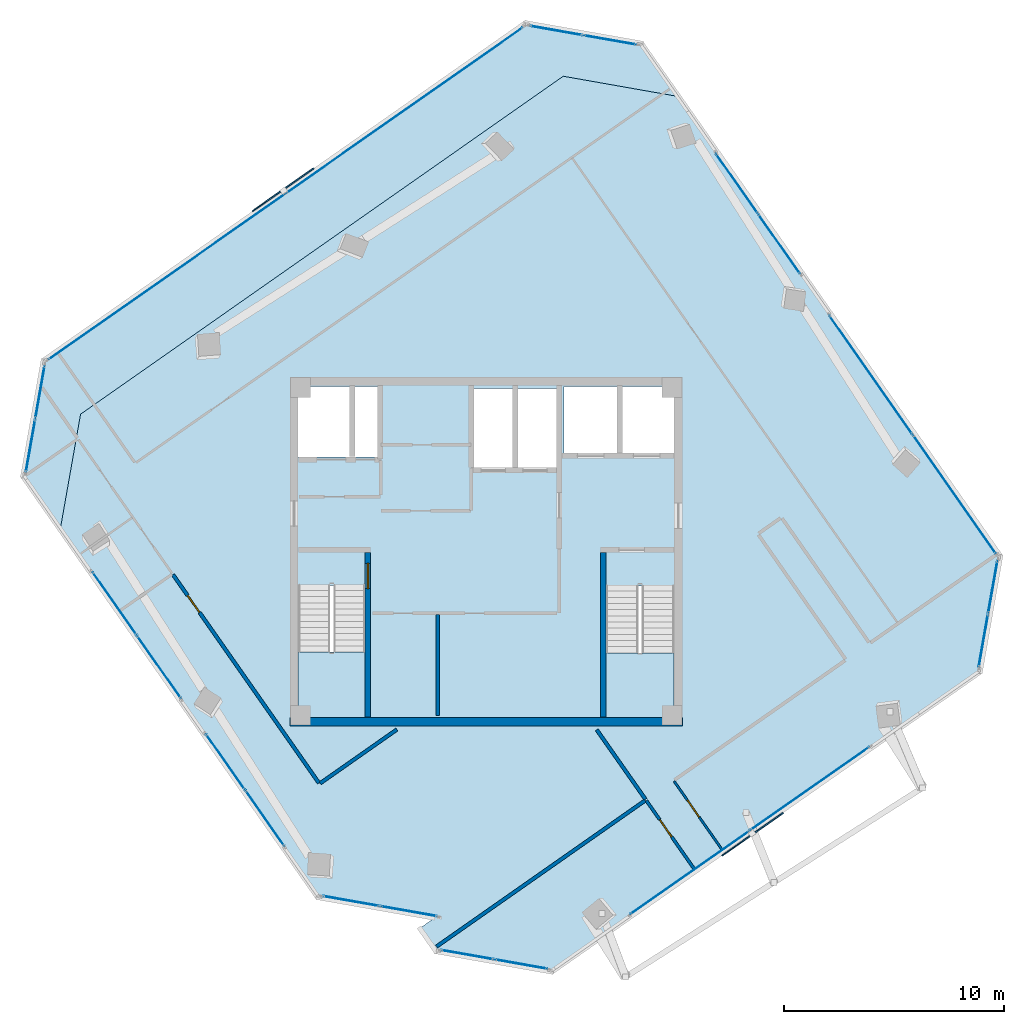
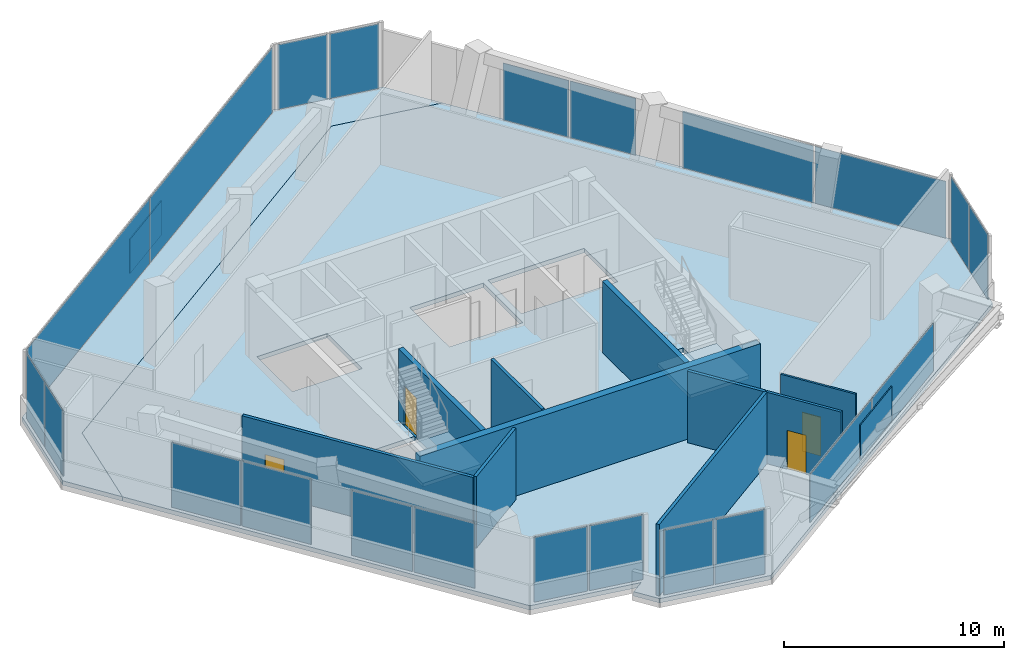
# One storey, part 10 of 15: 24 plates, 10 walls, 4 doors, 4 slabs, 4 openings, 13 elements without a shape of their own.
"""IFC4 building model written with IfcOpenShell, lengths in metres."""

from ifc_helpers import new_model, si_unit, direction, frame, frame_2d, origin, origin_2d, place, context, subcontext, project, spatial, polyline, rectangle, outline, extrude, source, transform, mapped, material, layer, layer_set, type_object, element, fill, aggregate, save


model = new_model("IFC4")

# Units and contexts
model_context = context("Model", 3, precision=1e-05, world=origin(), true_north=direction((0.0, 1.0)))
body_context = subcontext(model_context, "Body", "Model", "MODEL_VIEW")
ifc_project = project(units=[si_unit("LENGTHUNIT", "METRE"), si_unit("AREAUNIT", "SQUARE_METRE"), si_unit("VOLUMEUNIT", "CUBIC_METRE"), si_unit("PLANEANGLEUNIT", "RADIAN"), si_unit("MASSUNIT", "GRAM", prefix="KILO")], contexts=[model_context])

# Site, building, storey
site_placement = place(None, origin())
site = spatial("IfcSite", under=ifc_project, at=site_placement, CompositionType="ELEMENT")
building_placement = place(site_placement, origin())
building = spatial("IfcBuilding", under=site, at=building_placement, Name="Torre Montelarca", CompositionType="ELEMENT")
storey_placement = place(building_placement, frame((0.0, 0.0, 303.0)))
storey = spatial("IfcBuildingStorey", under=building, at=storey_placement, Name="L68", CompositionType="ELEMENT", Elevation=303.0)

# Slabs
ifc_material_1 = material(Name="Concrete C40/50", Category="concrete")
ifc_layer_1 = layer(ifc_material_1, 0.239990234375, Name="Concrete C40/50", Category="concrete")
ifc_layer_set_1 = layer_set([ifc_layer_1], Name="Concrete C40/50")
slab_type_1 = type_object("IfcSlabType", Name="SL-FLR-240", PredefinedType="FLOOR", material=ifc_layer_set_1)
slab_1_placement = place(storey_placement, frame((0.0, 0.0, -0.239990234375)))
element("IfcSlab", 1, at=slab_1_placement, inside=storey, type_object=slab_type_1, Name="L68 Structural Floor Slab", PredefinedType="FLOOR", context=body_context, shape_type="SweptSolid", body=[
    extrude(outline(polyline([(10.319580078125, 16.236328125), (15.612060546875, 15.30322265625), (14.956787109375, 14.844482421875), (15.702392578125, 13.779541015625), (20.99462890625, 12.84619140625), (40.490478515625, 26.497314453125), (41.423583984375, 31.789794921875), (26.797607421875, 52.67822265625), (21.505126953125, 53.611328125), (-0.447998046875, 38.239501953125), (-1.38134765625, 32.947021484375), (10.319580078125, 16.236328125)]), holes=[polyline([(26.550048828125, 24.449951171875), (23.43994140625, 24.449951171875), (23.43994140625, 30.429931640625), (26.550048828125, 30.429931640625), (26.550048828125, 24.449951171875)]), polyline([(12.5, 24.449951171875), (9.449951171875, 24.449951171875), (9.449951171875, 30.4599609375), (12.5, 30.4599609375), (12.5, 24.449951171875)]), polyline([(21.25, 39.39990234375), (21.25, 35.800048828125), (17.39990234375, 35.800048828125), (17.39990234375, 39.39990234375), (21.25, 39.39990234375)]), polyline([(13.1201171875, 36.300048828125), (9.449951171875, 36.300048828125), (9.449951171875, 39.5), (13.1201171875, 39.5), (13.1201171875, 36.300048828125)]), polyline([(26.60009765625, 36.449951171875), (21.550048828125, 36.449951171875), (21.550048828125, 39.5), (26.60009765625, 39.5), (26.60009765625, 36.449951171875)])]), origin(), (0.0, 0.0, 1.0), 0.239990234375),
])
slab_2_placement = place(storey_placement, frame((0.0, 0.0, -0.239990234375)))
element("IfcSlab", 2, at=slab_2_placement, inside=storey, type_object=slab_type_1, Name="L68 Sliding Tray Winter Garden Floor Slab W1", PredefinedType="FLOOR", context=body_context, shape_type="SweptSolid", body=[
    extrude(outline(polyline([(-1.38134765625, 32.947021484375), (-0.447998046875, 38.239501953125), (21.505126953125, 53.611328125), (26.797607421875, 52.67822265625), (25.076904296875, 55.135498046875), (19.784423828125, 56.06884765625), (-2.168701171875, 40.697021484375), (-3.10205078125, 35.404541015625), (-1.38134765625, 32.947021484375)])), origin(), (0.0, 0.0, 1.0), 0.239990234375),
])

# Stair, slab
stair_type_1 = type_object("IfcStairType", Name="ST-CORE-ST1", PredefinedType="HALF_TURN_STAIR", material=ifc_material_1)
stair_1_placement = place(storey_placement, origin())
stair_1 = element("IfcStair", 3, at=stair_1_placement, inside=storey, type_object=stair_type_1, Name="L68 Protected Exit Stair ST1", PredefinedType="HALF_TURN_STAIR")
ifc_layer_2 = layer(ifc_material_1, 0.199951171875, Name="Concrete C40/50", Category="concrete")
ifc_layer_set_2 = layer_set([ifc_layer_2], Name="Concrete C40/50")
slab_type_2 = type_object("IfcSlabType", Name="SL-ST-LAND-ST1", PredefinedType="LANDING", material=ifc_layer_set_2)
slab_3_placement = place(storey_placement, frame((0.0, 0.0, 1.89990234375)))
slab_3 = element("IfcSlab", 4, at=slab_3_placement, type_object=slab_type_2, Name="ST1 landing 1", PredefinedType="LANDING", context=body_context, shape_type="SweptSolid", body=[
    extrude(outline(polyline([(9.449951171875, 27.419921875), (9.449951171875, 24.449951171875), (12.5, 24.449951171875), (12.5, 27.419921875), (9.449951171875, 27.419921875)])), origin(), (0.0, 0.0, 1.0), 0.2001953125),
])
aggregate(stair_1, [slab_3])

stair_type_2 = type_object("IfcStairType", Name="ST-CORE-ST2", PredefinedType="HALF_TURN_STAIR", material=ifc_material_1)
stair_2_placement = place(storey_placement, origin())
stair_2 = element("IfcStair", 5, at=stair_2_placement, inside=storey, type_object=stair_type_2, Name="L68 Protected Exit Stair ST2", PredefinedType="HALF_TURN_STAIR")
ifc_layer_3 = layer(ifc_material_1, 0.199951171875, Name="Concrete C40/50", Category="concrete")
ifc_layer_set_3 = layer_set([ifc_layer_3], Name="Concrete C40/50")
slab_type_3 = type_object("IfcSlabType", Name="SL-ST-LAND-ST2", PredefinedType="LANDING", material=ifc_layer_set_3)
slab_4_placement = place(storey_placement, frame((0.0, 0.0, 1.89990234375)))
slab_4 = element("IfcSlab", 6, at=slab_4_placement, type_object=slab_type_3, Name="ST2 landing 1", PredefinedType="LANDING", context=body_context, shape_type="SweptSolid", body=[
    extrude(outline(polyline([(23.43994140625, 27.389892578125), (23.43994140625, 24.449951171875), (26.550048828125, 24.449951171875), (26.550048828125, 27.389892578125), (23.43994140625, 27.389892578125)])), origin(), (0.0, 0.0, 1.0), 0.2001953125),
])
aggregate(stair_2, [slab_4])

# Plates
ifc_material_2 = material(Name="Architectural perforated terracotta ceramic", Category="masonry")
ifc_layer_4 = layer(ifc_material_2, 0.06005859375, Name="Architectural perforated terracotta ceramic", Category="masonry")
ifc_layer_set_4 = layer_set([ifc_layer_4], Name="Architectural perforated terracotta ceramic")
plate_type_1 = type_object("IfcPlateType", Name="SCR-CER-60", PredefinedType="USERDEFINED", material=ifc_layer_set_4)
shared_shape_1 = source(origin(), body_context, "Body", "SweptSolid", [
    extrude(rectangle(XDim=3.39990234375, YDim=0.06005859375, at=origin_2d()), origin(), (0.0, 0.0, 1.0), 1.89990234375),
])
for number, where, z_axis, x_axis, name in (
    (7, (30.11669921875, 19.135986328125, 0.5), (0.0, 0.0, 1.0), (0.819154046443, 0.573573576968, 0.0), "L68 Perforated Ceramic Brise-Soleil Screen E6-1"),
    (8, (8.761962890625, 48.448486328125, 0.5), (0.0, 0.0, 1.0), (-0.819151043208, -0.57357786604, 0.0), "L68 Perforated Ceramic Brise-Soleil Screen E10-1"),
):
    element("IfcPlate", number, at=place(storey_placement, frame(where, z_axis=z_axis, x_axis=x_axis)), inside=storey, type_object=plate_type_1, Name=name, ObjectType="SOLAR SCREEN", PredefinedType="USERDEFINED", context=body_context, shape_type="MappedRepresentation", body=[
        mapped(shared_shape_1, transform((0.0, 0.0, 0.0), scale=1.0)),
    ])

# Curtain wall, plates
ifc_material_3 = material(Name="Insulated low-E laminated glass", Category="glass")
curtain_wall_type = type_object("IfcCurtainWallType", Name="CW-SYS-Z4", PredefinedType="USERDEFINED", material=ifc_material_3)
curtain_wall_1_placement = place(storey_placement, origin())
curtain_wall_1 = element("IfcCurtainWall", 9, at=curtain_wall_1_placement, inside=storey, type_object=curtain_wall_type, Name="L68 Curtain Wall Run CW-T3-L68-E01-B1", ObjectType="UNITISED GLAZING", PredefinedType="USERDEFINED")
ifc_layer_5 = layer(ifc_material_3, 0.035888671875, Name="Insulated low-E laminated glass", Category="glass")
ifc_layer_set_5 = layer_set([ifc_layer_5], Name="Insulated low-E laminated glass")
plate_type_2 = type_object("IfcPlateType", Name="CWP-GLZ-36", PredefinedType="CURTAIN_PANEL", material=ifc_layer_set_5)
shared_shape_2 = source(origin(), body_context, "Body", "SweptSolid", [
    extrude(rectangle(XDim=3.45751953125, YDim=0.035888671875, at=origin_2d()), origin(), (0.0, 0.0, 1.0), 3.590087890625),
])
plate_1_placement = place(storey_placement, frame((1.09619140625, 29.635498046875, 0.06494140625), z_axis=(0.0, 0.0, 1.0), x_axis=(0.573569496058, -0.819156903891, 0.0)))
plate_1 = element("IfcPlate", 10, at=plate_1_placement, type_object=plate_type_2, Name="CW panel 1.1", PredefinedType="CURTAIN_PANEL", context=body_context, shape_type="MappedRepresentation", body=[
    mapped(shared_shape_2, transform((0.0, 0.0, 0.0), scale=1.0)),
])
plate_2_placement = place(storey_placement, frame((3.122314453125, 26.741943359375, 0.06494140625), z_axis=(0.0, 0.0, 1.0), x_axis=(0.573569496058, -0.819156903891, 0.0)))
plate_2 = element("IfcPlate", 11, at=plate_2_placement, type_object=plate_type_2, Name="CW panel 2.1", PredefinedType="CURTAIN_PANEL", context=body_context, shape_type="MappedRepresentation", body=[
    mapped(shared_shape_2, transform((0.0, 0.0, 0.0), scale=1.0)),
])
aggregate(curtain_wall_1, [plate_1, plate_2])

curtain_wall_2_placement = place(storey_placement, origin())
curtain_wall_2 = element("IfcCurtainWall", 12, at=curtain_wall_2_placement, inside=storey, type_object=curtain_wall_type, Name="L68 Curtain Wall Run CW-T3-L68-E02-B1", ObjectType="UNITISED GLAZING", PredefinedType="USERDEFINED")
shared_shape_3 = source(origin(), body_context, "Body", "SweptSolid", [
    extrude(rectangle(XDim=2.592529296875, YDim=0.035888671875, at=origin_2d()), origin(), (0.0, 0.0, 1.0), 3.590087890625),
])
plate_3_placement = place(storey_placement, frame((11.85595703125, 16.097412109375, 0.06494140625), z_axis=(0.0, 0.0, 1.0), x_axis=(0.9848088558, -0.17364192333, 0.0)))
plate_3 = element("IfcPlate", 13, at=plate_3_placement, type_object=plate_type_2, Name="CW panel 1.1", PredefinedType="CURTAIN_PANEL", context=body_context, shape_type="MappedRepresentation", body=[
    mapped(shared_shape_3, transform((0.0, 0.0, 0.0), scale=1.0)),
])
plate_4_placement = place(storey_placement, frame((14.48291015625, 15.63427734375, 0.06494140625), z_axis=(0.0, 0.0, 1.0), x_axis=(0.9848088558, -0.17364192333, 0.0)))
plate_4 = element("IfcPlate", 14, at=plate_4_placement, type_object=plate_type_2, Name="CW panel 2.1", PredefinedType="CURTAIN_PANEL", context=body_context, shape_type="MappedRepresentation", body=[
    mapped(shared_shape_3, transform((0.0, 0.0, 0.0), scale=1.0)),
])
aggregate(curtain_wall_2, [plate_3, plate_4])

curtain_wall_3_placement = place(storey_placement, origin())
curtain_wall_3 = element("IfcCurtainWall", 15, at=curtain_wall_3_placement, inside=storey, type_object=curtain_wall_type, Name="L68 Curtain Wall Run CW-T3-L68-E05-B1", ObjectType="UNITISED GLAZING", PredefinedType="USERDEFINED")
shared_shape_4 = source(origin(), body_context, "Body", "SweptSolid", [
    extrude(rectangle(XDim=2.40869140625, YDim=0.035888671875, at=origin_2d()), origin(), (0.0, 0.0, 1.0), 3.590087890625),
])
plate_5_placement = place(storey_placement, frame((17.148193359375, 13.656494140625, 0.06494140625), z_axis=(0.0, 0.0, 1.0), x_axis=(0.984810101776, -0.173634856638, 0.0)))
plate_5 = element("IfcPlate", 16, at=plate_5_placement, type_object=plate_type_2, Name="CW panel 1.1", PredefinedType="CURTAIN_PANEL", context=body_context, shape_type="MappedRepresentation", body=[
    mapped(shared_shape_4, transform((0.0, 0.0, 0.0), scale=1.0)),
])
plate_6_placement = place(storey_placement, frame((19.593994140625, 13.225341796875, 0.06494140625), z_axis=(0.0, 0.0, 1.0), x_axis=(0.984810101776, -0.173634856638, 0.0)))
plate_6 = element("IfcPlate", 17, at=plate_6_placement, type_object=plate_type_2, Name="CW panel 2.1", PredefinedType="CURTAIN_PANEL", context=body_context, shape_type="MappedRepresentation", body=[
    mapped(shared_shape_4, transform((0.0, 0.0, 0.0), scale=1.0)),
])
aggregate(curtain_wall_3, [plate_5, plate_6])

curtain_wall_4_placement = place(storey_placement, origin())
curtain_wall_4 = element("IfcCurtainWall", 18, at=curtain_wall_4_placement, inside=storey, type_object=curtain_wall_type, Name="L68 Curtain Wall Run CW-T3-L68-E07-B1", ObjectType="UNITISED GLAZING", PredefinedType="USERDEFINED")
plate_7_placement = place(storey_placement, frame((40.613525390625, 27.943115234375, 0.06494140625), z_axis=(0.0, 0.0, 1.0), x_axis=(0.173612230899, 0.984814090721, 0.0)))
plate_7 = element("IfcPlate", 19, at=plate_7_placement, type_object=plate_type_2, Name="CW panel 1.1", PredefinedType="CURTAIN_PANEL", context=body_context, shape_type="MappedRepresentation", body=[
    mapped(shared_shape_4, transform((0.0, 0.0, 0.0), scale=1.0)),
])
plate_8_placement = place(storey_placement, frame((41.044677734375, 30.38916015625, 0.06494140625), z_axis=(0.0, 0.0, 1.0), x_axis=(0.173612230899, 0.984814090721, 0.0)))
plate_8 = element("IfcPlate", 20, at=plate_8_placement, type_object=plate_type_2, Name="CW panel 2.1", PredefinedType="CURTAIN_PANEL", context=body_context, shape_type="MappedRepresentation", body=[
    mapped(shared_shape_4, transform((0.0, 0.0, 0.0), scale=1.0)),
])
aggregate(curtain_wall_4, [plate_7, plate_8])

curtain_wall_5_placement = place(storey_placement, origin())
curtain_wall_5 = element("IfcCurtainWall", 21, at=curtain_wall_5_placement, inside=storey, type_object=curtain_wall_type, Name="L68 Curtain Wall Run CW-T3-L68-E09-B1", ObjectType="UNITISED GLAZING", PredefinedType="USERDEFINED")
plate_9_placement = place(storey_placement, frame((23.631103515625, 55.258544921875, 0.06494140625), z_axis=(0.0, 0.0, 1.0), x_axis=(-0.984810101776, 0.173634856638, 0.0)))
plate_9 = element("IfcPlate", 22, at=plate_9_placement, type_object=plate_type_2, Name="CW panel 1.1", PredefinedType="CURTAIN_PANEL", context=body_context, shape_type="MappedRepresentation", body=[
    mapped(shared_shape_4, transform((0.0, 0.0, 0.0), scale=1.0)),
])
plate_10_placement = place(storey_placement, frame((21.18505859375, 55.689697265625, 0.06494140625), z_axis=(0.0, 0.0, 1.0), x_axis=(-0.984810101776, 0.173634856638, 0.0)))
plate_10 = element("IfcPlate", 23, at=plate_10_placement, type_object=plate_type_2, Name="CW panel 2.1", PredefinedType="CURTAIN_PANEL", context=body_context, shape_type="MappedRepresentation", body=[
    mapped(shared_shape_4, transform((0.0, 0.0, 0.0), scale=1.0)),
])
aggregate(curtain_wall_5, [plate_9, plate_10])

curtain_wall_6_placement = place(storey_placement, origin())
curtain_wall_6 = element("IfcCurtainWall", 24, at=curtain_wall_6_placement, inside=storey, type_object=curtain_wall_type, Name="L68 Curtain Wall Run CW-T3-L68-E11-B1", ObjectType="UNITISED GLAZING", PredefinedType="USERDEFINED")
plate_11_placement = place(storey_placement, frame((-2.291748046875, 39.251220703125, 0.06494140625), z_axis=(0.0, 0.0, 1.0), x_axis=(-0.173634856638, -0.984810101776, 0.0)))
plate_11 = element("IfcPlate", 25, at=plate_11_placement, type_object=plate_type_2, Name="CW panel 1.1", PredefinedType="CURTAIN_PANEL", context=body_context, shape_type="MappedRepresentation", body=[
    mapped(shared_shape_4, transform((0.0, 0.0, 0.0), scale=1.0)),
])
plate_12_placement = place(storey_placement, frame((-2.722900390625, 36.80517578125, 0.06494140625), z_axis=(0.0, 0.0, 1.0), x_axis=(-0.173634856638, -0.984810101776, 0.0)))
plate_12 = element("IfcPlate", 26, at=plate_12_placement, type_object=plate_type_2, Name="CW panel 2.1", PredefinedType="CURTAIN_PANEL", context=body_context, shape_type="MappedRepresentation", body=[
    mapped(shared_shape_4, transform((0.0, 0.0, 0.0), scale=1.0)),
])
aggregate(curtain_wall_6, [plate_11, plate_12])

curtain_wall_7_placement = place(storey_placement, origin())
curtain_wall_7 = element("IfcCurtainWall", 27, at=curtain_wall_7_placement, inside=storey, type_object=curtain_wall_type, Name="L68 Curtain Wall Run CW-T3-L68-E10-B1", ObjectType="UNITISED GLAZING", PredefinedType="USERDEFINED")
shared_shape_5 = source(origin(), body_context, "Body", "SweptSolid", [
    extrude(rectangle(XDim=13.12158203125, YDim=0.035888671875, at=origin_2d()), origin(), (0.0, 0.0, 1.0), 3.590087890625),
])
plate_13_placement = place(storey_placement, frame((14.28759765625, 52.06103515625, 0.06494140625), z_axis=(0.0, 0.0, 1.0), x_axis=(-0.819155413128, -0.57357162512, 0.0)))
plate_13 = element("IfcPlate", 28, at=plate_13_placement, type_object=plate_type_2, Name="CW panel 1.1", PredefinedType="CURTAIN_PANEL", context=body_context, shape_type="MappedRepresentation", body=[
    mapped(shared_shape_5, transform((0.0, 0.0, 0.0), scale=1.0)),
])
plate_14_placement = place(storey_placement, frame((3.477294921875, 44.49169921875, 0.06494140625), z_axis=(0.0, 0.0, 1.0), x_axis=(-0.819155413128, -0.57357162512, 0.0)))
plate_14 = element("IfcPlate", 29, at=plate_14_placement, type_object=plate_type_2, Name="CW panel 2.1", PredefinedType="CURTAIN_PANEL", context=body_context, shape_type="MappedRepresentation", body=[
    mapped(shared_shape_5, transform((0.0, 0.0, 0.0), scale=1.0)),
])
aggregate(curtain_wall_7, [plate_13, plate_14])

curtain_wall_8_placement = place(storey_placement, origin())
curtain_wall_8 = element("IfcCurtainWall", 30, at=curtain_wall_8_placement, inside=storey, type_object=curtain_wall_type, Name="L68 Curtain Wall Run CW-T3-L68-E01-B2", ObjectType="UNITISED GLAZING", PredefinedType="USERDEFINED")
shared_shape_6 = source(origin(), body_context, "Body", "SweptSolid", [
    extrude(rectangle(XDim=3.0546875, YDim=0.035888671875, at=origin_2d()), origin(), (0.0, 0.0, 1.0), 3.590087890625),
])
plate_15_placement = place(storey_placement, frame((6.14306640625, 22.42822265625, 0.06494140625), z_axis=(0.0, 0.0, 1.0), x_axis=(0.573565112822, -0.819159972992, 0.0)))
plate_15 = element("IfcPlate", 31, at=plate_15_placement, type_object=plate_type_2, Name="CW panel 1.1", PredefinedType="CURTAIN_PANEL", context=body_context, shape_type="MappedRepresentation", body=[
    mapped(shared_shape_6, transform((0.0, 0.0, 0.0), scale=1.0)),
])
plate_16_placement = place(storey_placement, frame((7.93798828125, 19.864501953125, 0.06494140625), z_axis=(0.0, 0.0, 1.0), x_axis=(0.573565112822, -0.819159972992, 0.0)))
plate_16 = element("IfcPlate", 32, at=plate_16_placement, type_object=plate_type_2, Name="CW panel 2.1", PredefinedType="CURTAIN_PANEL", context=body_context, shape_type="MappedRepresentation", body=[
    mapped(shared_shape_6, transform((0.0, 0.0, 0.0), scale=1.0)),
])
aggregate(curtain_wall_8, [plate_15, plate_16])

curtain_wall_9_placement = place(storey_placement, origin())
curtain_wall_9 = element("IfcCurtainWall", 33, at=curtain_wall_9_placement, inside=storey, type_object=curtain_wall_type, Name="L68 Curtain Wall Run CW-T3-L68-E06-B1", ObjectType="UNITISED GLAZING", PredefinedType="USERDEFINED")
shared_shape_7 = source(origin(), body_context, "Body", "SweptSolid", [
    extrude(rectangle(XDim=6.58740234375, YDim=0.035888671875, at=origin_2d()), origin(), (0.0, 0.0, 1.0), 2.64501953125),
])
plate_17_placement = place(storey_placement, frame((27.267578125, 17.397216796875, 0.06494140625), z_axis=(0.0, 0.0, 1.0), x_axis=(0.819155482733, 0.573571525713, 0.0)))
plate_17 = element("IfcPlate", 34, at=plate_17_placement, type_object=plate_type_2, Name="CW panel 1.1", PredefinedType="CURTAIN_PANEL", context=body_context, shape_type="MappedRepresentation", body=[
    mapped(shared_shape_7, transform((0.0, 0.0, 0.0), scale=1.0)),
])
plate_18_placement = place(storey_placement, frame((32.72509765625, 21.21875, 0.06494140625), z_axis=(0.0, 0.0, 1.0), x_axis=(0.819155482733, 0.573571525713, 0.0)))
plate_18 = element("IfcPlate", 35, at=plate_18_placement, type_object=plate_type_2, Name="CW panel 2.1", PredefinedType="CURTAIN_PANEL", context=body_context, shape_type="MappedRepresentation", body=[
    mapped(shared_shape_7, transform((0.0, 0.0, 0.0), scale=1.0)),
])
aggregate(curtain_wall_9, [plate_17, plate_18])

curtain_wall_10_placement = place(storey_placement, origin())
curtain_wall_10 = element("IfcCurtainWall", 36, at=curtain_wall_10_placement, inside=storey, type_object=curtain_wall_type, Name="L68 Curtain Wall Run CW-T3-L68-E08-B1", ObjectType="UNITISED GLAZING", PredefinedType="USERDEFINED")
shared_shape_8 = source(origin(), body_context, "Body", "SweptSolid", [
    extrude(rectangle(XDim=6.5576171875, YDim=0.035888671875, at=origin_2d()), origin(), (0.0, 0.0, 1.0), 3.14501953125),
])
plate_19_placement = place(storey_placement, frame((39.29833984375, 34.59814453125, 0.06494140625), z_axis=(0.0, 0.0, 1.0), x_axis=(-0.573566985118, 0.819158662032, 0.0)))
plate_19 = element("IfcPlate", 37, at=plate_19_placement, type_object=plate_type_2, Name="CW panel 1.1", PredefinedType="CURTAIN_PANEL", context=body_context, shape_type="MappedRepresentation", body=[
    mapped(shared_shape_8, transform((0.0, 0.0, 0.0), scale=1.0)),
])
plate_20_placement = place(storey_placement, frame((35.494140625, 40.03125, 0.06494140625), z_axis=(0.0, 0.0, 1.0), x_axis=(-0.573566985118, 0.819158662032, 0.0)))
plate_20 = element("IfcPlate", 38, at=plate_20_placement, type_object=plate_type_2, Name="CW panel 2.1", PredefinedType="CURTAIN_PANEL", context=body_context, shape_type="MappedRepresentation", body=[
    mapped(shared_shape_8, transform((0.0, 0.0, 0.0), scale=1.0)),
])
aggregate(curtain_wall_10, [plate_19, plate_20])

curtain_wall_11_placement = place(storey_placement, origin())
curtain_wall_11 = element("IfcCurtainWall", 39, at=curtain_wall_11_placement, inside=storey, type_object=curtain_wall_type, Name="L68 Curtain Wall Run CW-T3-L68-E08-B2", ObjectType="UNITISED GLAZING", PredefinedType="USERDEFINED")
shared_shape_9 = source(origin(), body_context, "Body", "SweptSolid", [
    extrude(rectangle(XDim=3.287109375, YDim=0.035888671875, at=origin_2d()), origin(), (0.0, 0.0, 1.0), 3.14501953125),
])
plate_21_placement = place(storey_placement, frame((31.32763671875, 45.98193359375, 0.06494140625), z_axis=(0.0, 0.0, 1.0), x_axis=(-0.573581772786, 0.819148307651, 0.0)))
plate_21 = element("IfcPlate", 40, at=plate_21_placement, type_object=plate_type_2, Name="CW panel 1.1", PredefinedType="CURTAIN_PANEL", context=body_context, shape_type="MappedRepresentation", body=[
    mapped(shared_shape_9, transform((0.0, 0.0, 0.0), scale=1.0)),
])
plate_22_placement = place(storey_placement, frame((29.399169921875, 48.736083984375, 0.06494140625), z_axis=(0.0, 0.0, 1.0), x_axis=(-0.573581772786, 0.819148307651, 0.0)))
plate_22 = element("IfcPlate", 41, at=plate_22_placement, type_object=plate_type_2, Name="CW panel 2.1", PredefinedType="CURTAIN_PANEL", context=body_context, shape_type="MappedRepresentation", body=[
    mapped(shared_shape_9, transform((0.0, 0.0, 0.0), scale=1.0)),
])
aggregate(curtain_wall_11, [plate_21, plate_22])

# Wall, opening, door
ifc_layer_6 = layer(ifc_material_1, 0.25, Name="Concrete C40/50", Category="concrete")
ifc_layer_set_6 = layer_set([ifc_layer_6], Name="Concrete C40/50")
wall_type_1 = type_object("IfcWallType", Name="CW-SHAFT-250", PredefinedType="SHEAR", material=ifc_layer_set_6)
wall_1_placement = place(storey_placement, frame((12.625, 24.4599609375, 0.0), z_axis=(0.0, 0.0, 1.0), x_axis=(0.0, 1.0, 0.0)))
wall_1 = element("IfcWall", 42, at=wall_1_placement, inside=storey, type_object=wall_type_1, Name="L68 Core Shear Wall SH-ST1-E", PredefinedType="SHEAR", context=body_context, shape_type="SweptSolid", body=[
    extrude(rectangle(XDim=7.489990234375, YDim=0.25, at=frame_2d((3.7451171875, 0.0))), origin(), (0.0, 0.0, 1.0), 3.9599609375),
])
opening_1_placement = place(wall_1_placement, frame((5.85009765625, 0.0, 0.0)))
opening_1 = element("IfcOpeningElement", 43, at=opening_1_placement, cuts=wall_1, Name="Opening FD-ST1", PredefinedType="OPENING", context=body_context, shape_type="SweptSolid", body=[
    extrude(rectangle(XDim=1.14990234375, YDim=2.199951171875, at=frame_2d((0.574951171875, 1.10009765625))), frame((0.0, 0.135009765625, 0.0), z_axis=(0.0, -1.0, 0.0), x_axis=(1.0, 0.0, 0.0)), (0.0, 0.0, 1.0), 0.27001953125),
])
ifc_material_4 = material(Name="Galvanized steel fire door", Category="steel")
door_type_1 = type_object("IfcDoorType", Name="DR-STAIR-115", OperationType="NOTDEFINED", PredefinedType="DOOR", material=ifc_material_4)
shared_shape_10 = source(origin(), body_context, "Body", "SweptSolid", [
    extrude(rectangle(XDim=1.14990234375, YDim=2.199951171875, at=frame_2d((0.574951171875, 1.10009765625))), frame((0.0, 0.02490234375, 0.0), z_axis=(0.0, -1.0, 0.0), x_axis=(1.0, 0.0, 0.0)), (0.0, 0.0, 1.0), 0.050048828125),
])
door_1_placement = place(opening_1_placement, origin())
door_1 = element("IfcDoor", 44, at=door_1_placement, inside=storey, type_object=door_type_1, Name="L68 Exit Stair ST1 Fire Door", OperationType="SINGLE_SWING_RIGHT", OverallHeight=2.199951171875, OverallWidth=1.14990234375, PredefinedType="DOOR", context=body_context, shape_type="MappedRepresentation", body=[
    mapped(shared_shape_10, transform((0.0, 0.0, 0.0), scale=1.0)),
])
fill(opening_1, door_1)

# Walls
wall_2_placement = place(storey_placement, frame((23.31494140625, 24.4599609375, 0.0), z_axis=(0.0, 0.0, 1.0), x_axis=(0.0, 1.0, 0.0)))
element("IfcWall", 45, at=wall_2_placement, inside=storey, type_object=wall_type_1, Name="L68 Core Shear Wall SH-ST2-W", PredefinedType="SHEAR", context=body_context, shape_type="SweptSolid", body=[
    extrude(rectangle(XDim=7.489990234375, YDim=0.25, at=frame_2d((3.7451171875, 0.0))), origin(), (0.0, 0.0, 1.0), 3.9599609375),
])
ifc_layer_7 = layer(ifc_material_1, 0.3798828125, Name="Concrete C40/50", Category="concrete")
ifc_layer_set_7 = layer_set([ifc_layer_7], Name="Concrete C40/50")
wall_type_2 = type_object("IfcWallType", Name="CW-SHEAR-380", PredefinedType="SHEAR", material=ifc_layer_set_7)
wall_3_placement = place(storey_placement, frame((9.070068359375, 24.260009765625, 0.0), z_axis=(0.0, 0.0, 1.0), x_axis=(1.0, 0.0, 0.0)))
element("IfcWall", 46, at=wall_3_placement, inside=storey, type_object=wall_type_2, Name="L68 Core Shear Wall CW-S1", PredefinedType="SHEAR", context=body_context, shape_type="SweptSolid", body=[
    extrude(rectangle(XDim=17.85986328125, YDim=0.3798828125, at=frame_2d((8.929931640625, 0.0))), origin(), (0.0, 0.0, 1.0), 3.9599609375),
])
ifc_material_5 = material(Name="Gypsum plasterboard on steel stud", Category="steel")
ifc_layer_8 = layer(ifc_material_5, 0.159912109375, Name="Gypsum plasterboard on steel stud", Category="steel")
ifc_layer_set_8 = layer_set([ifc_layer_8], Name="Gypsum plasterboard on steel stud")
wall_type_3 = type_object("IfcWallType", Name="PW-FIRE-160", PredefinedType="PARTITIONING", material=ifc_layer_set_8)
wall_4_placement = place(storey_placement, frame((15.800048828125, 24.5400390625, 0.0), z_axis=(0.0, 0.0, 1.0), x_axis=(0.0, 1.0, 0.0)))
element("IfcWall", 47, at=wall_4_placement, inside=storey, type_object=wall_type_3, Name="L68 Interior Partition CW-L68-FRD1", PredefinedType="PARTITIONING", context=body_context, shape_type="SweptSolid", body=[
    extrude(rectangle(XDim=4.599853515625, YDim=0.159912109375, at=frame_2d((2.2998046875, 0.0))), origin(), (0.0, 0.0, 1.0), 3.9599609375),
])

# Wall, opening, door
wall_5_placement = place(storey_placement, frame((3.758056640625, 30.9423828125, 0.0), z_axis=(0.0, 0.0, 1.0), x_axis=(0.573575634469, -0.819152605772, 0.0)))
wall_5 = element("IfcWall", 48, at=wall_5_placement, inside=storey, type_object=wall_type_3, Name="L68 Interior Partition W-L68-SOCCN", PredefinedType="PARTITIONING", context=body_context, shape_type="SweptSolid", body=[
    extrude(rectangle(XDim=11.56982421875, YDim=0.159912109375, at=frame_2d((5.784912109375, 0.0))), origin(), (0.0, 0.0, 1.0), 3.9599609375),
])
opening_2_placement = place(wall_5_placement, frame((1.14990234375, 0.0, 0.0)))
opening_2 = element("IfcOpeningElement", 49, at=opening_2_placement, cuts=wall_5, Name="Opening FD-095", PredefinedType="OPENING", context=body_context, shape_type="SweptSolid", body=[
    extrude(rectangle(XDim=0.949951171875, YDim=2.14990234375, at=frame_2d((0.47509765625, 1.074951171875))), frame((0.0, 0.08984375, 0.0), z_axis=(0.0, -1.0, 0.0), x_axis=(1.0, 0.0, 0.0)), (0.0, 0.0, 1.0), 0.179931640625),
])
ifc_material_6 = material(Name="Timber fire-rated room door", Category="wood")
door_type_2 = type_object("IfcDoorType", Name="DR-FIRE-095", OperationType="NOTDEFINED", PredefinedType="DOOR", material=ifc_material_6)
shared_shape_11 = source(origin(), body_context, "Body", "SweptSolid", [
    extrude(rectangle(XDim=0.949951171875, YDim=2.14990234375, at=frame_2d((0.47509765625, 1.074951171875))), frame((0.0, 0.02490234375, 0.0), z_axis=(0.0, -1.0, 0.0), x_axis=(1.0, 0.0, 0.0)), (0.0, 0.0, 1.0), 0.050048828125),
])
door_2_placement = place(opening_2_placement, origin())
door_2 = element("IfcDoor", 50, at=door_2_placement, inside=storey, type_object=door_type_2, Name="L68 Interior Door 08", OperationType="SINGLE_SWING_RIGHT", OverallHeight=2.14990234375, OverallWidth=0.949951171875, PredefinedType="DOOR", context=body_context, shape_type="MappedRepresentation", body=[
    mapped(shared_shape_11, transform((0.0, 0.0, 0.0), scale=1.0)),
])
fill(opening_2, door_2)

# Walls
wall_6_placement = place(storey_placement, frame((10.4501953125, 21.454833984375, 0.0), z_axis=(0.0, 0.0, 1.0), x_axis=(0.819110678768, 0.573635507903, 0.0)))
element("IfcWall", 51, at=wall_6_placement, inside=storey, type_object=wall_type_3, Name="L68 Interior Partition W-L68-SOCCW3", PredefinedType="PARTITIONING", context=body_context, shape_type="SweptSolid", body=[
    extrude(rectangle(XDim=4.2578125, YDim=0.159912109375, at=frame_2d((2.12890625, 0.0))), origin(), (0.0, 0.0, 1.0), 3.9599609375),
])
wall_7_placement = place(storey_placement, frame((23.02978515625, 23.88720703125, 0.0), z_axis=(0.0, 0.0, 1.0), x_axis=(0.573602525203, -0.819133776059, 0.0)))
element("IfcWall", 52, at=wall_7_placement, inside=storey, type_object=wall_type_3, Name="L68 Interior Partition W-L68-SOCCN3", PredefinedType="PARTITIONING", context=body_context, shape_type="SweptSolid", body=[
    extrude(rectangle(XDim=3.85693359375, YDim=0.159912109375, at=frame_2d((1.928466796875, 0.0))), origin(), (0.0, 0.0, 1.0), 3.9599609375),
])
wall_8_placement = place(storey_placement, frame((15.74658203125, 14.030029296875, 0.0), z_axis=(0.0, 0.0, 1.0), x_axis=(0.819150694041, 0.573578364701, 0.0)))
element("IfcWall", 53, at=wall_8_placement, inside=storey, type_object=wall_type_3, Name="L68 Interior Partition W-L68-ECS", PredefinedType="PARTITIONING", context=body_context, shape_type="SweptSolid", body=[
    extrude(rectangle(XDim=11.580078125, YDim=0.159912109375, at=frame_2d((5.7900390625, 0.0))), origin(), (0.0, 0.0, 1.0), 3.9599609375),
])

# Wall, opening, door
ifc_material_7 = material(Name="Acoustic laminated glass partition", Category="glass")
ifc_layer_9 = layer(ifc_material_7, 0.10009765625, Name="Acoustic laminated glass partition", Category="glass")
ifc_layer_set_9 = layer_set([ifc_layer_9], Name="Acoustic laminated glass partition")
wall_type_4 = type_object("IfcWallType", Name="PW-GLAZ-100", PredefinedType="PARTITIONING", material=ifc_layer_set_9)
wall_9_placement = place(storey_placement, frame((26.549560546875, 21.545654296875, 0.0), z_axis=(0.0, 0.0, 1.0), x_axis=(0.573614860738, -0.8191251379, 0.0)))
wall_9 = element("IfcWall", 54, at=wall_9_placement, inside=storey, type_object=wall_type_4, Name="L68 Interior Partition W-L68-NE-S", PredefinedType="PARTITIONING", context=body_context, shape_type="SweptSolid", body=[
    extrude(rectangle(XDim=3.760009765625, YDim=0.10009765625, at=frame_2d((1.8798828125, 0.0))), origin(), (0.0, 0.0, 1.0), 3.9599609375),
])
opening_3_placement = place(wall_9_placement, frame((1.050048828125, 0.0, 0.0)))
opening_3 = element("IfcOpeningElement", 55, at=opening_3_placement, cuts=wall_9, Name="Opening ID-095", PredefinedType="OPENING", context=body_context, shape_type="SweptSolid", body=[
    extrude(rectangle(XDim=0.949951171875, YDim=2.14990234375, at=frame_2d((0.47509765625, 1.074951171875))), frame((0.0, 0.06005859375, 0.0), z_axis=(0.0, -1.0, 0.0), x_axis=(1.0, 0.0, 0.0)), (0.0, 0.0, 1.0), 0.1201171875),
])
ifc_material_8 = material(Name="Hardwood acoustic timber veneer", Category="wood")
door_type_3 = type_object("IfcDoorType", Name="DR-INT-095", OperationType="NOTDEFINED", PredefinedType="DOOR", material=ifc_material_8)
shared_shape_12 = source(origin(), body_context, "Body", "SweptSolid", [
    extrude(rectangle(XDim=0.949951171875, YDim=2.14990234375, at=frame_2d((0.47509765625, 1.074951171875))), frame((0.0, 0.02490234375, 0.0), z_axis=(0.0, -1.0, 0.0), x_axis=(1.0, 0.0, 0.0)), (0.0, 0.0, 1.0), 0.050048828125),
])
door_3_placement = place(opening_3_placement, origin())
door_3 = element("IfcDoor", 56, at=door_3_placement, inside=storey, type_object=door_type_3, Name="L68 Interior Door 11", OperationType="SINGLE_SWING_LEFT", OverallHeight=2.14990234375, OverallWidth=0.949951171875, PredefinedType="DOOR", context=body_context, shape_type="MappedRepresentation", body=[
    mapped(shared_shape_12, transform((0.0, 0.0, 0.0), scale=1.0)),
])
fill(opening_3, door_3)

ifc_layer_10 = layer(ifc_material_5, 0.135009765625, Name="Gypsum plasterboard on steel stud", Category="steel")
ifc_layer_set_10 = layer_set([ifc_layer_10], Name="Gypsum plasterboard on steel stud")
wall_type_5 = type_object("IfcWallType", Name="PW-PART-135", PredefinedType="PARTITIONING", material=ifc_layer_set_10)
wall_10_placement = place(storey_placement, frame((25.2880859375, 20.662353515625, 0.0), z_axis=(0.0, 0.0, 1.0), x_axis=(0.573614860738, -0.8191251379, 0.0)))
wall_10 = element("IfcWall", 57, at=wall_10_placement, inside=storey, type_object=wall_type_5, Name="L68 Interior Partition W-L68-SE-N", PredefinedType="PARTITIONING", context=body_context, shape_type="SweptSolid", body=[
    extrude(rectangle(XDim=3.760009765625, YDim=0.135009765625, at=frame_2d((1.8798828125, 0.0))), origin(), (0.0, 0.0, 1.0), 3.9599609375),
])
opening_4_placement = place(wall_10_placement, frame((1.050048828125, 0.0, 0.0)))
opening_4 = element("IfcOpeningElement", 58, at=opening_4_placement, cuts=wall_10, Name="Opening ID-095", PredefinedType="OPENING", context=body_context, shape_type="SweptSolid", body=[
    extrude(rectangle(XDim=0.949951171875, YDim=2.14990234375, at=frame_2d((0.47509765625, 1.074951171875))), frame((0.0, 0.07763671875, 0.0), z_axis=(0.0, -1.0, 0.0), x_axis=(1.0, 0.0, 0.0)), (0.0, 0.0, 1.0), 0.155029296875),
])
door_4_placement = place(opening_4_placement, origin())
door_4 = element("IfcDoor", 59, at=door_4_placement, inside=storey, type_object=door_type_3, Name="L68 Interior Door 12", OperationType="SINGLE_SWING_LEFT", OverallHeight=2.14990234375, OverallWidth=0.949951171875, PredefinedType="DOOR", context=body_context, shape_type="MappedRepresentation", body=[
    mapped(shared_shape_12, transform((0.0, 0.0, 0.0), scale=1.0)),
])
fill(opening_4, door_4)

save(model, "model.ifc")
